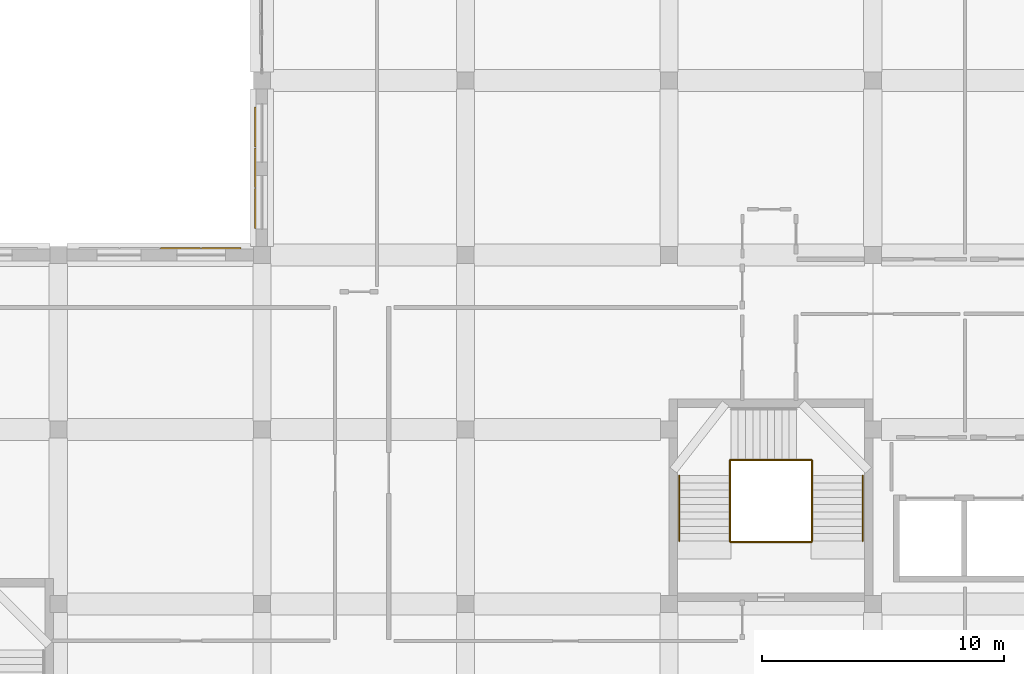
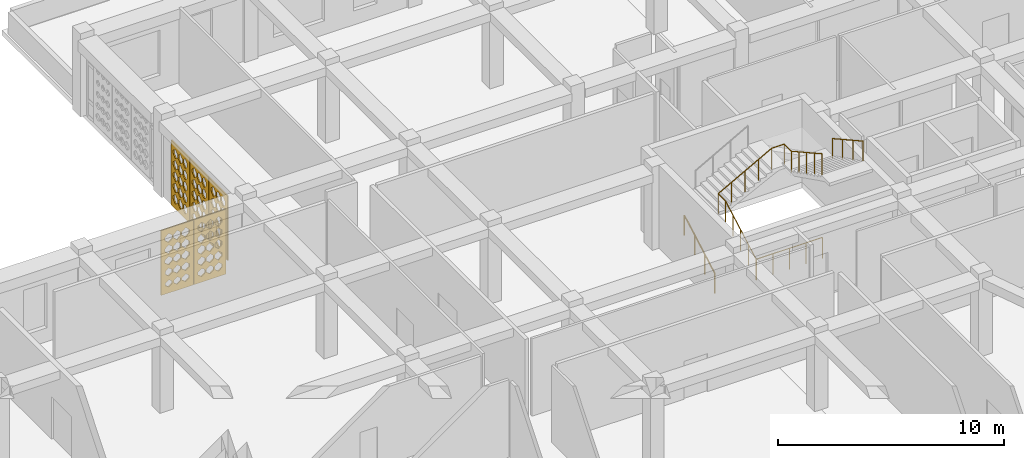
# One storey, part 89 of 100: 6 railings, 5 coverings.
"""IFC4 building model written with IfcOpenShell, lengths in metres."""

from ifc_helpers import new_model, si_unit, derived_unit, direction, frame, origin, origin_2d, place, context, subcontext, project, spatial, polyline, circle, outline, extrude, material, layer, layer_set, type_object, element, save


model = new_model("IFC4")

# Units and contexts
model_context = context("Model", 3, precision=1e-05, world=origin(), true_north=direction((0.0, 1.0)))
body_context = subcontext(model_context, "Body", "Model", "MODEL_VIEW")
ifc_project = project(units=[si_unit("LENGTHUNIT", "METRE"), si_unit("AREAUNIT", "SQUARE_METRE"), si_unit("VOLUMEUNIT", "CUBIC_METRE"), si_unit("PLANEANGLEUNIT", "RADIAN"), si_unit("MASSUNIT", "GRAM", prefix="KILO"), derived_unit("THERMALTRANSMITTANCEUNIT", [(si_unit("POWERUNIT", "WATT"), 1), (si_unit("LENGTHUNIT", "METRE"), -2), (si_unit("THERMODYNAMICTEMPERATUREUNIT", "KELVIN"), -1)])], contexts=[model_context])

# Site, building, storey
site_placement = place(None, origin())
site = spatial("IfcSite", under=ifc_project, at=site_placement, CompositionType="ELEMENT")
building_placement = place(site_placement, origin())
building = spatial("IfcBuilding", under=site, at=building_placement, Name="Veybourne Emporium", CompositionType="ELEMENT")
storey_placement = place(building_placement, frame((0.0, 0.0, 14.39990234375)))
storey = spatial("IfcBuildingStorey", under=building, at=storey_placement, Name="L03", CompositionType="ELEMENT", Elevation=14.39990234375)

# Railings
ifc_material_1 = material(Name="Brushed Stainless Steel", Category="steel")
railing_type_1 = type_object("IfcRailingType", Name="Guard_GR-01", PredefinedType="GUARDRAIL", material=ifc_material_1)
railing_1_placement = place(storey_placement, frame((52.909912109375, 74.60009765625, 0.0)))
element("IfcRailing", 1, at=railing_1_placement, inside=storey, type_object=railing_type_1, Name="L03 ST-03 stair guard 1", PredefinedType="GUARDRAIL", context=body_context, shape_type="SweptSolid", body=[
    extrude(circle(Radius=0.02392578125, at=origin_2d()), frame((0.0, 0.0, 1.1259765625), z_axis=(0.0, 0.87415354758, 0.485649642493), x_axis=(-1.0, 0.0, 0.0)), (0.0, 0.0, 1.0), 3.088623046875),
    extrude(circle(Radius=0.02392578125, at=origin_2d()), frame((0.0, 2.699951171875, 2.6259765625), z_axis=(0.0, 1.0, 0.0), x_axis=(-1.0, 0.0, 0.0)), (0.0, 0.0, 1.0), 0.639892578125),
    extrude(circle(Radius=0.02099609375, at=origin_2d()), origin(), (0.0, 0.0, 1.0), 1.101806640625),
    extrude(circle(Radius=0.02099609375, at=origin_2d()), frame((0.0, 0.675048828125, 0.375)), (0.0, 0.0, 1.0), 1.101806640625),
    extrude(circle(Radius=0.02099609375, at=origin_2d()), frame((0.0, 1.35009765625, 0.75)), (0.0, 0.0, 1.0), 1.101806640625),
    extrude(circle(Radius=0.02099609375, at=origin_2d()), frame((0.0, 2.02490234375, 1.125)), (0.0, 0.0, 1.0), 1.101806640625),
    extrude(circle(Radius=0.02099609375, at=origin_2d()), frame((0.0, 2.699951171875, 1.5)), (0.0, 0.0, 1.0), 1.101806640625),
    extrude(circle(Radius=0.02099609375, at=origin_2d()), frame((0.0, 3.33984375, 1.5)), (0.0, 0.0, 1.0), 1.101806640625),
])
railing_2_placement = place(storey_placement, frame((52.909912109375, 77.93994140625, 1.5)))
element("IfcRailing", 2, at=railing_2_placement, inside=storey, type_object=railing_type_1, Name="L03 ST-03 stair guard 2", PredefinedType="GUARDRAIL", context=body_context, shape_type="SweptSolid", body=[
    extrude(circle(Radius=0.02392578125, at=origin_2d()), frame((0.0, 0.0, 1.1259765625), z_axis=(0.87715976088, 0.0, 0.480198660861), x_axis=(0.0, 1.0, 0.0)), (0.0, 0.0, 1.0), 3.123779296875),
    extrude(circle(Radius=0.02392578125, at=origin_2d()), frame((2.739990234375, 0.0, 2.6259765625), z_axis=(1.0, 0.0, 0.0), x_axis=(0.0, 1.0, 0.0)), (0.0, 0.0, 1.0), 0.64013671875),
    extrude(circle(Radius=0.02099609375, at=origin_2d()), origin(), (0.0, 0.0, 1.0), 1.101806640625),
    extrude(circle(Radius=0.02099609375, at=origin_2d()), frame((0.68505859375, 0.0, 0.375)), (0.0, 0.0, 1.0), 1.101806640625),
    extrude(circle(Radius=0.02099609375, at=origin_2d()), frame((1.3701171875, 0.0, 0.75)), (0.0, 0.0, 1.0), 1.101806640625),
    extrude(circle(Radius=0.02099609375, at=origin_2d()), frame((2.054931640625, 0.0, 1.125)), (0.0, 0.0, 1.0), 1.101806640625),
    extrude(circle(Radius=0.02099609375, at=origin_2d()), frame((2.739990234375, 0.0, 1.5)), (0.0, 0.0, 1.0), 1.101806640625),
    extrude(circle(Radius=0.02099609375, at=origin_2d()), frame((3.380126953125, 0.0, 1.5)), (0.0, 0.0, 1.0), 1.101806640625),
])
railing_3_placement = place(storey_placement, frame((56.2900390625, 77.93994140625, 3.0)))
element("IfcRailing", 3, at=railing_3_placement, inside=storey, type_object=railing_type_1, Name="L03 ST-03 stair guard 3", PredefinedType="GUARDRAIL", context=body_context, shape_type="SweptSolid", body=[
    extrude(circle(Radius=0.02392578125, at=origin_2d()), frame((0.0, 0.0, 1.1259765625), z_axis=(0.0, -1.0, 0.0), x_axis=(1.0, 0.0, 0.0)), (0.0, 0.0, 1.0), 0.639892578125),
    extrude(circle(Radius=0.02392578125, at=origin_2d()), frame((0.0, -0.639892578125, 1.1259765625), z_axis=(0.0, -0.87415354758, 0.485649642493), x_axis=(1.0, 0.0, 0.0)), (0.0, 0.0, 1.0), 3.088623046875),
    extrude(circle(Radius=0.02099609375, at=origin_2d()), origin(), (0.0, 0.0, 1.0), 1.101806640625),
    extrude(circle(Radius=0.02099609375, at=origin_2d()), frame((0.0, -0.639892578125, 0.0)), (0.0, 0.0, 1.0), 1.101806640625),
    extrude(circle(Radius=0.02099609375, at=origin_2d()), frame((0.0, -1.31494140625, 0.375)), (0.0, 0.0, 1.0), 1.101806640625),
    extrude(circle(Radius=0.02099609375, at=origin_2d()), frame((0.0, -1.98974609375, 0.75)), (0.0, 0.0, 1.0), 1.101806640625),
    extrude(circle(Radius=0.02099609375, at=origin_2d()), frame((0.0, -2.664794921875, 1.125)), (0.0, 0.0, 1.0), 1.101806640625),
    extrude(circle(Radius=0.02099609375, at=origin_2d()), frame((0.0, -3.33984375, 1.5)), (0.0, 0.0, 1.0), 1.101806640625),
])
railing_4_placement = place(storey_placement, frame((52.909912109375, 74.56005859375, 0.0)))
element("IfcRailing", 4, at=railing_4_placement, inside=storey, type_object=railing_type_1, Name="L03 ST-03 stair guard 4", PredefinedType="GUARDRAIL", context=body_context, shape_type="SweptSolid", body=[
    extrude(circle(Radius=0.02392578125, at=origin_2d()), frame((0.0, 0.0, 1.1259765625), z_axis=(1.0, 0.0, 0.0), x_axis=(0.0, 1.0, 0.0)), (0.0, 0.0, 1.0), 3.380126953125),
    extrude(circle(Radius=0.02099609375, at=origin_2d()), origin(), (0.0, 0.0, 1.0), 1.101806640625),
    extrude(circle(Radius=0.02099609375, at=origin_2d()), frame((0.844970703125, 0.0, 0.0)), (0.0, 0.0, 1.0), 1.101806640625),
    extrude(circle(Radius=0.02099609375, at=origin_2d()), frame((1.68994140625, 0.0, 0.0)), (0.0, 0.0, 1.0), 1.101806640625),
    extrude(circle(Radius=0.02099609375, at=origin_2d()), frame((2.53515625, 0.0, 0.0)), (0.0, 0.0, 1.0), 1.101806640625),
    extrude(circle(Radius=0.02099609375, at=origin_2d()), frame((3.380126953125, 0.0, 0.0)), (0.0, 0.0, 1.0), 1.101806640625),
])
railing_type_2 = type_object("IfcRailingType", Name="Handrail_HR-01", PredefinedType="HANDRAIL", material=ifc_material_1)
railing_5_placement = place(storey_placement, frame((50.81005859375, 74.60009765625, 0.150146484375)))
element("IfcRailing", 5, at=railing_5_placement, inside=storey, type_object=railing_type_2, Name="L03 ST-03 pitch handrail 1", PredefinedType="HANDRAIL", context=body_context, shape_type="SweptSolid", body=[
    extrude(circle(Radius=0.02392578125, at=origin_2d()), frame((0.0, 0.0, 0.92578125), z_axis=(0.0, 0.87415354758, 0.485649642493), x_axis=(-1.0, 0.0, 0.0)), (0.0, 0.0, 1.0), 3.088623046875),
    extrude(circle(Radius=0.02099609375, at=origin_2d()), frame((0.0, 0.0, -0.14990234375)), (0.0, 0.0, 1.0), 1.0517578125),
    extrude(circle(Radius=0.02099609375, at=origin_2d()), frame((0.0, 0.89990234375, 0.35009765625)), (0.0, 0.0, 1.0), 1.0517578125),
    extrude(circle(Radius=0.02099609375, at=origin_2d()), frame((0.0, 1.800048828125, 0.85009765625)), (0.0, 0.0, 1.0), 1.0517578125),
    extrude(circle(Radius=0.02099609375, at=origin_2d()), frame((0.0, 2.699951171875, 1.35009765625)), (0.0, 0.0, 1.0), 1.0517578125),
])
railing_6_placement = place(storey_placement, frame((58.389892578125, 77.300048828125, 3.150146484375)))
element("IfcRailing", 6, at=railing_6_placement, inside=storey, type_object=railing_type_2, Name="L03 ST-03 pitch handrail 3", PredefinedType="HANDRAIL", context=body_context, shape_type="SweptSolid", body=[
    extrude(circle(Radius=0.02392578125, at=origin_2d()), frame((0.0, 0.0, 0.92578125), z_axis=(0.0, -0.87415354758, 0.485649642493), x_axis=(1.0, 0.0, 0.0)), (0.0, 0.0, 1.0), 3.088623046875),
    extrude(circle(Radius=0.02099609375, at=origin_2d()), frame((0.0, 0.0, -0.14990234375)), (0.0, 0.0, 1.0), 1.0517578125),
    extrude(circle(Radius=0.02099609375, at=origin_2d()), frame((0.0, -0.89990234375, 0.35009765625)), (0.0, 0.0, 1.0), 1.0517578125),
    extrude(circle(Radius=0.02099609375, at=origin_2d()), frame((0.0, -1.800048828125, 0.85009765625)), (0.0, 0.0, 1.0), 1.0517578125),
    extrude(circle(Radius=0.02099609375, at=origin_2d()), frame((0.0, -2.699951171875, 1.35009765625)), (0.0, 0.0, 1.0), 1.0517578125),
])

# Coverings
ifc_material_2 = material(Name="Warm-White Perforated Aluminium Screen Alloy", Category="aluminium")
ifc_layer_1 = layer(ifc_material_2, 0.06005859375)
ifc_layer_set_1 = layer_set([ifc_layer_1], Name="Warm-White Perforated Aluminium Screen Alloy")
covering_type_1 = type_object("IfcCoveringType", Name="WaveScreen_SCR-01", PredefinedType="CLADDING", material=ifc_layer_set_1)
covering_1_placement = place(storey_placement, frame((33.302001953125, 91.679931640625, 1.815185546875), z_axis=(1.0, 0.0, 0.0), x_axis=(0.0, 1.0, 0.0)))
element("IfcCovering", 7, at=covering_1_placement, inside=storey, type_object=covering_type_1, Name="L03 wave-perforated aluminium screen SCR-01 (22.3)", PredefinedType="CLADDING", context=body_context, shape_type="SweptSolid", body=[
    extrude(outline(polyline([(-0.81982421875, -1.7548828125), (0.81982421875, -1.7548828125), (0.81982421875, 1.7548828125), (-0.81982421875, 1.7548828125), (-0.81982421875, -1.7548828125)]), holes=[polyline([(-0.433349609375, -0.964111328125), (-0.2470703125, -1.133056640625), (-0.2470703125, -1.322998046875), (-0.433349609375, -1.491943359375), (-0.61962890625, -1.322998046875), (-0.61962890625, -1.133056640625), (-0.433349609375, -0.964111328125)]), polyline([(-0.433349609375, -0.35009765625), (-0.2470703125, -0.51904296875), (-0.2470703125, -0.708984375), (-0.433349609375, -0.8779296875), (-0.61962890625, -0.708984375), (-0.61962890625, -0.51904296875), (-0.433349609375, -0.35009765625)]), polyline([(-0.433349609375, 0.263916015625), (-0.2470703125, 0.094970703125), (-0.2470703125, -0.094970703125), (-0.433349609375, -0.263916015625), (-0.61962890625, -0.094970703125), (-0.61962890625, 0.094970703125), (-0.433349609375, 0.263916015625)]), polyline([(-0.433349609375, 0.8779296875), (-0.2470703125, 0.708984375), (-0.2470703125, 0.51904296875), (-0.433349609375, 0.35009765625), (-0.61962890625, 0.51904296875), (-0.61962890625, 0.708984375), (-0.433349609375, 0.8779296875)]), polyline([(-0.433349609375, 1.48828125), (-0.2470703125, 1.32177734375), (-0.2470703125, 1.13427734375), (-0.433349609375, 0.967529296875), (-0.61962890625, 1.13427734375), (-0.61962890625, 1.32177734375), (-0.433349609375, 1.48828125)]), polyline([(0.0, -0.964111328125), (0.186279296875, -1.133056640625), (0.186279296875, -1.322998046875), (0.0, -1.491943359375), (-0.186279296875, -1.322998046875), (-0.186279296875, -1.133056640625), (0.0, -0.964111328125)]), polyline([(0.0, -0.35009765625), (0.186279296875, -0.51904296875), (0.186279296875, -0.708984375), (0.0, -0.8779296875), (-0.186279296875, -0.708984375), (-0.186279296875, -0.51904296875), (0.0, -0.35009765625)]), polyline([(0.0, 0.263916015625), (0.186279296875, 0.094970703125), (0.186279296875, -0.094970703125), (0.0, -0.263916015625), (-0.186279296875, -0.094970703125), (-0.186279296875, 0.094970703125), (0.0, 0.263916015625)]), polyline([(0.0, 0.8779296875), (0.186279296875, 0.708984375), (0.186279296875, 0.51904296875), (0.0, 0.35009765625), (-0.186279296875, 0.51904296875), (-0.186279296875, 0.708984375), (0.0, 0.8779296875)]), polyline([(0.0, 1.484619140625), (0.186279296875, 1.3203125), (0.186279296875, 1.1357421875), (0.0, 0.971435546875), (-0.186279296875, 1.1357421875), (-0.186279296875, 1.3203125), (0.0, 1.484619140625)]), polyline([(0.433349609375, -0.964111328125), (0.61962890625, -1.133056640625), (0.61962890625, -1.322998046875), (0.433349609375, -1.491943359375), (0.2470703125, -1.322998046875), (0.2470703125, -1.133056640625), (0.433349609375, -0.964111328125)]), polyline([(0.433349609375, -0.35009765625), (0.61962890625, -0.51904296875), (0.61962890625, -0.708984375), (0.433349609375, -0.8779296875), (0.2470703125, -0.708984375), (0.2470703125, -0.51904296875), (0.433349609375, -0.35009765625)]), polyline([(0.433349609375, 0.263916015625), (0.61962890625, 0.094970703125), (0.61962890625, -0.094970703125), (0.433349609375, -0.263916015625), (0.2470703125, -0.094970703125), (0.2470703125, 0.094970703125), (0.433349609375, 0.263916015625)]), polyline([(0.433349609375, 0.875), (0.61962890625, 0.7080078125), (0.61962890625, 0.52001953125), (0.433349609375, 0.352783203125), (0.2470703125, 0.52001953125), (0.2470703125, 0.7080078125), (0.433349609375, 0.875)]), polyline([(0.433349609375, 1.480224609375), (0.61962890625, 1.31884765625), (0.61962890625, 1.13720703125), (0.433349609375, 0.9755859375), (0.2470703125, 1.13720703125), (0.2470703125, 1.31884765625), (0.433349609375, 1.480224609375)])]), origin(), (0.0, 0.0, 1.0), 0.06005859375),
])
ifc_layer_2 = layer(ifc_material_2, 0.06005859375)
ifc_layer_set_2 = layer_set([ifc_layer_2], Name="Warm-White Perforated Aluminium Screen Alloy")
covering_type_2 = type_object("IfcCoveringType", Name="WaveScreen_SCR-03", PredefinedType="CLADDING", material=ifc_layer_set_2)
covering_2_placement = place(storey_placement, frame((30.239990234375, 86.697998046875, 1.815185546875), z_axis=(0.0, -1.0, 0.0), x_axis=(1.0, 0.0, 0.0)))
element("IfcCovering", 8, at=covering_2_placement, inside=storey, type_object=covering_type_2, Name="L03 wave-perforated aluminium screen SCR-03 (20.3)", PredefinedType="CLADDING", context=body_context, shape_type="SweptSolid", body=[
    extrude(outline(polyline([(-0.81982421875, -1.7548828125), (0.81982421875, -1.7548828125), (0.81982421875, 1.7548828125), (-0.81982421875, 1.7548828125), (-0.81982421875, -1.7548828125)]), holes=[polyline([(-0.433349609375, -1.033203125), (-0.263916015625, -1.15771484375), (-0.263916015625, -1.298095703125), (-0.433349609375, -1.4228515625), (-0.602783203125, -1.298095703125), (-0.602783203125, -1.15771484375), (-0.433349609375, -1.033203125)]), polyline([(-0.433349609375, -0.405029296875), (-0.25244140625, -0.538818359375), (-0.25244140625, -0.689208984375), (-0.433349609375, -0.822998046875), (-0.6142578125, -0.689208984375), (-0.6142578125, -0.538818359375), (-0.433349609375, -0.405029296875)]), polyline([(-0.433349609375, 0.22265625), (-0.2470703125, 0.080078125), (-0.2470703125, -0.080078125), (-0.433349609375, -0.22265625), (-0.61962890625, -0.080078125), (-0.61962890625, 0.080078125), (-0.433349609375, 0.22265625)]), polyline([(-0.433349609375, 0.849365234375), (-0.2470703125, 0.69873046875), (-0.2470703125, 0.529296875), (-0.433349609375, 0.378662109375), (-0.61962890625, 0.529296875), (-0.61962890625, 0.69873046875), (-0.433349609375, 0.849365234375)]), polyline([(-0.433349609375, 1.474609375), (-0.2470703125, 1.31689453125), (-0.2470703125, 1.13916015625), (-0.433349609375, 0.981201171875), (-0.61962890625, 1.13916015625), (-0.61962890625, 1.31689453125), (-0.433349609375, 1.474609375)]), polyline([(0.0, -1.026611328125), (0.1748046875, -1.155517578125), (0.1748046875, -1.300537109375), (0.0, -1.42919921875), (-0.1748046875, -1.300537109375), (-0.1748046875, -1.155517578125), (0.0, -1.026611328125)]), polyline([(0.0, -0.398681640625), (0.18603515625, -0.53662109375), (0.18603515625, -0.69140625), (0.0, -0.8291015625), (-0.18603515625, -0.69140625), (-0.18603515625, -0.53662109375), (0.0, -0.398681640625)]), polyline([(0.0, 0.228515625), (0.186279296875, 0.082275390625), (0.186279296875, -0.082275390625), (0.0, -0.228515625), (-0.186279296875, -0.082275390625), (-0.186279296875, 0.082275390625), (0.0, 0.228515625)]), polyline([(0.0, 0.8544921875), (0.186279296875, 0.70068359375), (0.186279296875, 0.52734375), (0.0, 0.373291015625), (-0.186279296875, 0.52734375), (-0.186279296875, 0.70068359375), (0.0, 0.8544921875)]), polyline([(0.0, 1.4794921875), (0.186279296875, 1.318603515625), (0.186279296875, 1.137451171875), (0.0, 0.9765625), (-0.186279296875, 1.137451171875), (-0.186279296875, 1.318603515625), (0.0, 1.4794921875)]), polyline([(0.433349609375, -1.020263671875), (0.61328125, -1.1533203125), (0.61328125, -1.302734375), (0.433349609375, -1.435791015625), (0.25341796875, -1.302734375), (0.25341796875, -1.1533203125), (0.433349609375, -1.020263671875)]), polyline([(0.433349609375, -0.392578125), (0.61962890625, -0.5341796875), (0.61962890625, -0.693603515625), (0.433349609375, -0.835205078125), (0.2470703125, -0.693603515625), (0.2470703125, -0.5341796875), (0.433349609375, -0.392578125)]), polyline([(0.433349609375, 0.234130859375), (0.61962890625, 0.084228515625), (0.61962890625, -0.084228515625), (0.433349609375, -0.234130859375), (0.2470703125, -0.084228515625), (0.2470703125, 0.084228515625), (0.433349609375, 0.234130859375)]), polyline([(0.433349609375, 0.859619140625), (0.61962890625, 0.702392578125), (0.61962890625, 0.525390625), (0.433349609375, 0.368408203125), (0.2470703125, 0.525390625), (0.2470703125, 0.702392578125), (0.433349609375, 0.859619140625)]), polyline([(0.433349609375, 1.483642578125), (0.61962890625, 1.320068359375), (0.61962890625, 1.135986328125), (0.433349609375, 0.972412109375), (0.2470703125, 1.135986328125), (0.2470703125, 1.320068359375), (0.433349609375, 1.483642578125)])]), origin(), (0.0, 0.0, 1.0), 0.06005859375),
])
covering_3_placement = place(storey_placement, frame((33.302001953125, 88.320068359375, 1.815185546875), z_axis=(1.0, 0.0, 0.0), x_axis=(0.0, 1.0, 0.0)))
element("IfcCovering", 9, at=covering_3_placement, inside=storey, type_object=covering_type_2, Name="L03 wave-perforated aluminium screen SCR-03 (22.1)", PredefinedType="CLADDING", context=body_context, shape_type="SweptSolid", body=[
    extrude(outline(polyline([(-0.81982421875, -1.7548828125), (0.81982421875, -1.7548828125), (0.81982421875, 1.7548828125), (-0.81982421875, 1.7548828125), (-0.81982421875, -1.7548828125)]), holes=[polyline([(-0.433349609375, -0.9716796875), (-0.2470703125, -1.1357421875), (-0.2470703125, -1.3203125), (-0.433349609375, -1.484130859375), (-0.61962890625, -1.3203125), (-0.61962890625, -1.1357421875), (-0.433349609375, -0.9716796875)]), polyline([(-0.433349609375, -0.35009765625), (-0.2470703125, -0.51904296875), (-0.2470703125, -0.708984375), (-0.433349609375, -0.8779296875), (-0.61962890625, -0.708984375), (-0.61962890625, -0.51904296875), (-0.433349609375, -0.35009765625)]), polyline([(-0.433349609375, 0.263916015625), (-0.2470703125, 0.094970703125), (-0.2470703125, -0.094970703125), (-0.433349609375, -0.263916015625), (-0.61962890625, -0.094970703125), (-0.61962890625, 0.094970703125), (-0.433349609375, 0.263916015625)]), polyline([(-0.433349609375, 0.8779296875), (-0.2470703125, 0.708984375), (-0.2470703125, 0.51904296875), (-0.433349609375, 0.35009765625), (-0.61962890625, 0.51904296875), (-0.61962890625, 0.708984375), (-0.433349609375, 0.8779296875)]), polyline([(-0.433349609375, 1.491943359375), (-0.2470703125, 1.322998046875), (-0.2470703125, 1.133056640625), (-0.433349609375, 0.964111328125), (-0.61962890625, 1.133056640625), (-0.61962890625, 1.322998046875), (-0.433349609375, 1.491943359375)]), polyline([(0.0, -0.968017578125), (0.186279296875, -1.134521484375), (0.186279296875, -1.321533203125), (0.0, -1.488037109375), (-0.186279296875, -1.321533203125), (-0.186279296875, -1.134521484375), (0.0, -0.968017578125)]), polyline([(0.0, -0.35009765625), (0.186279296875, -0.51904296875), (0.186279296875, -0.708984375), (0.0, -0.8779296875), (-0.186279296875, -0.708984375), (-0.186279296875, -0.51904296875), (0.0, -0.35009765625)]), polyline([(0.0, 0.263916015625), (0.186279296875, 0.094970703125), (0.186279296875, -0.094970703125), (0.0, -0.263916015625), (-0.186279296875, -0.094970703125), (-0.186279296875, 0.094970703125), (0.0, 0.263916015625)]), polyline([(0.0, 0.8779296875), (0.186279296875, 0.708984375), (0.186279296875, 0.51904296875), (0.0, 0.35009765625), (-0.186279296875, 0.51904296875), (-0.186279296875, 0.708984375), (0.0, 0.8779296875)]), polyline([(0.0, 1.491943359375), (0.186279296875, 1.322998046875), (0.186279296875, 1.133056640625), (0.0, 0.964111328125), (-0.186279296875, 1.133056640625), (-0.186279296875, 1.322998046875), (0.0, 1.491943359375)]), polyline([(0.433349609375, -0.96435546875), (0.61962890625, -1.133056640625), (0.61962890625, -1.322998046875), (0.433349609375, -1.49169921875), (0.2470703125, -1.322998046875), (0.2470703125, -1.133056640625), (0.433349609375, -0.96435546875)]), polyline([(0.433349609375, -0.35009765625), (0.61962890625, -0.51904296875), (0.61962890625, -0.708984375), (0.433349609375, -0.8779296875), (0.2470703125, -0.708984375), (0.2470703125, -0.51904296875), (0.433349609375, -0.35009765625)]), polyline([(0.433349609375, 0.263916015625), (0.61962890625, 0.094970703125), (0.61962890625, -0.094970703125), (0.433349609375, -0.263916015625), (0.2470703125, -0.094970703125), (0.2470703125, 0.094970703125), (0.433349609375, 0.263916015625)]), polyline([(0.433349609375, 0.8779296875), (0.61962890625, 0.708984375), (0.61962890625, 0.51904296875), (0.433349609375, 0.35009765625), (0.2470703125, 0.51904296875), (0.2470703125, 0.708984375), (0.433349609375, 0.8779296875)]), polyline([(0.433349609375, 1.491943359375), (0.61962890625, 1.322998046875), (0.61962890625, 1.133056640625), (0.433349609375, 0.964111328125), (0.2470703125, 1.133056640625), (0.2470703125, 1.322998046875), (0.433349609375, 1.491943359375)])]), origin(), (0.0, 0.0, 1.0), 0.06005859375),
])
ifc_layer_3 = layer(ifc_material_2, 0.06005859375)
ifc_layer_set_3 = layer_set([ifc_layer_3], Name="Warm-White Perforated Aluminium Screen Alloy")
covering_type_3 = type_object("IfcCoveringType", Name="WaveScreen_SCR-04", PredefinedType="CLADDING", material=ifc_layer_set_3)
covering_4_placement = place(storey_placement, frame((31.919921875, 86.697998046875, 1.815185546875), z_axis=(0.0, -1.0, 0.0), x_axis=(1.0, 0.0, 0.0)))
element("IfcCovering", 10, at=covering_4_placement, inside=storey, type_object=covering_type_3, Name="L03 wave-perforated aluminium screen SCR-04 (20.4)", PredefinedType="CLADDING", context=body_context, shape_type="SweptSolid", body=[
    extrude(outline(polyline([(-0.81982421875, -1.7548828125), (0.81982421875, -1.7548828125), (0.81982421875, 1.7548828125), (-0.81982421875, 1.7548828125), (-0.81982421875, -1.7548828125)]), holes=[polyline([(-0.433349609375, -1.0087890625), (-0.2470703125, -1.14892578125), (-0.2470703125, -1.306884765625), (-0.433349609375, -1.447265625), (-0.61962890625, -1.306884765625), (-0.61962890625, -1.14892578125), (-0.433349609375, -1.0087890625)]), polyline([(-0.433349609375, -0.381591796875), (-0.2470703125, -0.530517578125), (-0.2470703125, -0.697509765625), (-0.433349609375, -0.84619140625), (-0.61962890625, -0.697509765625), (-0.61962890625, -0.530517578125), (-0.433349609375, -0.381591796875)]), polyline([(-0.433349609375, 0.244140625), (-0.2470703125, 0.087890625), (-0.2470703125, -0.087890625), (-0.433349609375, -0.244140625), (-0.61962890625, -0.087890625), (-0.61962890625, 0.087890625), (-0.433349609375, 0.244140625)]), polyline([(-0.433349609375, 0.868408203125), (-0.2470703125, 0.70556640625), (-0.2470703125, 0.5224609375), (-0.433349609375, 0.359619140625), (-0.61962890625, 0.5224609375), (-0.61962890625, 0.70556640625), (-0.433349609375, 0.868408203125)]), polyline([(-0.433349609375, 1.49072265625), (-0.2470703125, 1.322509765625), (-0.2470703125, 1.13330078125), (-0.433349609375, 0.965087890625), (-0.61962890625, 1.13330078125), (-0.61962890625, 1.322509765625), (-0.433349609375, 1.49072265625)]), polyline([(0.0, -1.002685546875), (0.186279296875, -1.14697265625), (0.186279296875, -1.30908203125), (0.0, -1.453369140625), (-0.186279296875, -1.30908203125), (-0.186279296875, -1.14697265625), (0.0, -1.002685546875)]), polyline([(0.0, -0.376220703125), (0.186279296875, -0.5283203125), (0.186279296875, -0.69970703125), (0.0, -0.851806640625), (-0.186279296875, -0.69970703125), (-0.186279296875, -0.5283203125), (0.0, -0.376220703125)]), polyline([(0.0, 0.248779296875), (0.186279296875, 0.089599609375), (0.186279296875, -0.089599609375), (0.0, -0.248779296875), (-0.186279296875, -0.089599609375), (-0.186279296875, 0.089599609375), (0.0, 0.248779296875)]), polyline([(0.0, 0.872314453125), (0.186279296875, 0.70703125), (0.186279296875, 0.52099609375), (0.0, 0.355712890625), (-0.186279296875, 0.52099609375), (-0.186279296875, 0.70703125), (0.0, 0.872314453125)]), polyline([(0.0, 1.491943359375), (0.186279296875, 1.322998046875), (0.186279296875, 1.133056640625), (0.0, 0.964111328125), (-0.186279296875, 1.133056640625), (-0.186279296875, 1.322998046875), (0.0, 1.491943359375)]), polyline([(0.433349609375, -0.996826171875), (0.61962890625, -1.144775390625), (0.61962890625, -1.311279296875), (0.433349609375, -1.458984375), (0.2470703125, -1.311279296875), (0.2470703125, -1.144775390625), (0.433349609375, -0.996826171875)]), polyline([(0.433349609375, -0.37109375), (0.61962890625, -0.526611328125), (0.61962890625, -0.701416015625), (0.433349609375, -0.85693359375), (0.2470703125, -0.701416015625), (0.2470703125, -0.526611328125), (0.433349609375, -0.37109375)]), polyline([(0.433349609375, 0.25341796875), (0.61962890625, 0.09130859375), (0.61962890625, -0.09130859375), (0.433349609375, -0.25341796875), (0.2470703125, -0.09130859375), (0.2470703125, 0.09130859375), (0.433349609375, 0.25341796875)]), polyline([(0.433349609375, 0.876220703125), (0.61962890625, 0.708251953125), (0.61962890625, 0.519775390625), (0.433349609375, 0.351806640625), (0.2470703125, 0.519775390625), (0.2470703125, 0.708251953125), (0.433349609375, 0.876220703125)]), polyline([(0.433349609375, 1.491943359375), (0.61962890625, 1.322998046875), (0.61962890625, 1.133056640625), (0.433349609375, 0.964111328125), (0.2470703125, 1.133056640625), (0.2470703125, 1.322998046875), (0.433349609375, 1.491943359375)])]), origin(), (0.0, 0.0, 1.0), 0.06005859375),
])
covering_5_placement = place(storey_placement, frame((33.302001953125, 90.0, 1.815185546875), z_axis=(1.0, 0.0, 0.0), x_axis=(0.0, 1.0, 0.0)))
element("IfcCovering", 11, at=covering_5_placement, inside=storey, type_object=covering_type_3, Name="L03 wave-perforated aluminium screen SCR-04 (22.2)", PredefinedType="CLADDING", context=body_context, shape_type="SweptSolid", body=[
    extrude(outline(polyline([(-0.81982421875, -1.7548828125), (0.81982421875, -1.7548828125), (0.81982421875, 1.7548828125), (-0.81982421875, 1.7548828125), (-0.81982421875, -1.7548828125)]), holes=[polyline([(-0.433349609375, -0.964111328125), (-0.2470703125, -1.133056640625), (-0.2470703125, -1.322998046875), (-0.433349609375, -1.491943359375), (-0.61962890625, -1.322998046875), (-0.61962890625, -1.133056640625), (-0.433349609375, -0.964111328125)]), polyline([(-0.433349609375, -0.35009765625), (-0.2470703125, -0.51904296875), (-0.2470703125, -0.708984375), (-0.433349609375, -0.8779296875), (-0.61962890625, -0.708984375), (-0.61962890625, -0.51904296875), (-0.433349609375, -0.35009765625)]), polyline([(-0.433349609375, 0.263916015625), (-0.2470703125, 0.094970703125), (-0.2470703125, -0.094970703125), (-0.433349609375, -0.263916015625), (-0.61962890625, -0.094970703125), (-0.61962890625, 0.094970703125), (-0.433349609375, 0.263916015625)]), polyline([(-0.433349609375, 0.8779296875), (-0.2470703125, 0.708984375), (-0.2470703125, 0.51904296875), (-0.433349609375, 0.35009765625), (-0.61962890625, 0.51904296875), (-0.61962890625, 0.708984375), (-0.433349609375, 0.8779296875)]), polyline([(-0.433349609375, 1.491943359375), (-0.2470703125, 1.322998046875), (-0.2470703125, 1.133056640625), (-0.433349609375, 0.964111328125), (-0.61962890625, 1.133056640625), (-0.61962890625, 1.322998046875), (-0.433349609375, 1.491943359375)]), polyline([(0.0, -0.964111328125), (0.186279296875, -1.133056640625), (0.186279296875, -1.322998046875), (0.0, -1.491943359375), (-0.186279296875, -1.322998046875), (-0.186279296875, -1.133056640625), (0.0, -0.964111328125)]), polyline([(0.0, -0.35009765625), (0.186279296875, -0.51904296875), (0.186279296875, -0.708984375), (0.0, -0.8779296875), (-0.186279296875, -0.708984375), (-0.186279296875, -0.51904296875), (0.0, -0.35009765625)]), polyline([(0.0, 0.263916015625), (0.186279296875, 0.094970703125), (0.186279296875, -0.094970703125), (0.0, -0.263916015625), (-0.186279296875, -0.094970703125), (-0.186279296875, 0.094970703125), (0.0, 0.263916015625)]), polyline([(0.0, 0.8779296875), (0.186279296875, 0.708984375), (0.186279296875, 0.51904296875), (0.0, 0.35009765625), (-0.186279296875, 0.51904296875), (-0.186279296875, 0.708984375), (0.0, 0.8779296875)]), polyline([(0.0, 1.491943359375), (0.186279296875, 1.322998046875), (0.186279296875, 1.133056640625), (0.0, 0.964111328125), (-0.186279296875, 1.133056640625), (-0.186279296875, 1.322998046875), (0.0, 1.491943359375)]), polyline([(0.433349609375, -0.964111328125), (0.61962890625, -1.133056640625), (0.61962890625, -1.322998046875), (0.433349609375, -1.491943359375), (0.2470703125, -1.322998046875), (0.2470703125, -1.133056640625), (0.433349609375, -0.964111328125)]), polyline([(0.433349609375, -0.35009765625), (0.61962890625, -0.51904296875), (0.61962890625, -0.708984375), (0.433349609375, -0.8779296875), (0.2470703125, -0.708984375), (0.2470703125, -0.51904296875), (0.433349609375, -0.35009765625)]), polyline([(0.433349609375, 0.263916015625), (0.61962890625, 0.094970703125), (0.61962890625, -0.094970703125), (0.433349609375, -0.263916015625), (0.2470703125, -0.094970703125), (0.2470703125, 0.094970703125), (0.433349609375, 0.263916015625)]), polyline([(0.433349609375, 0.8779296875), (0.61962890625, 0.708984375), (0.61962890625, 0.51904296875), (0.433349609375, 0.35009765625), (0.2470703125, 0.51904296875), (0.2470703125, 0.708984375), (0.433349609375, 0.8779296875)]), polyline([(0.433349609375, 1.491943359375), (0.61962890625, 1.322998046875), (0.61962890625, 1.133056640625), (0.433349609375, 0.964111328125), (0.2470703125, 1.133056640625), (0.2470703125, 1.322998046875), (0.433349609375, 1.491943359375)])]), origin(), (0.0, 0.0, 1.0), 0.06005859375),
])

save(model, "model.ifc")
